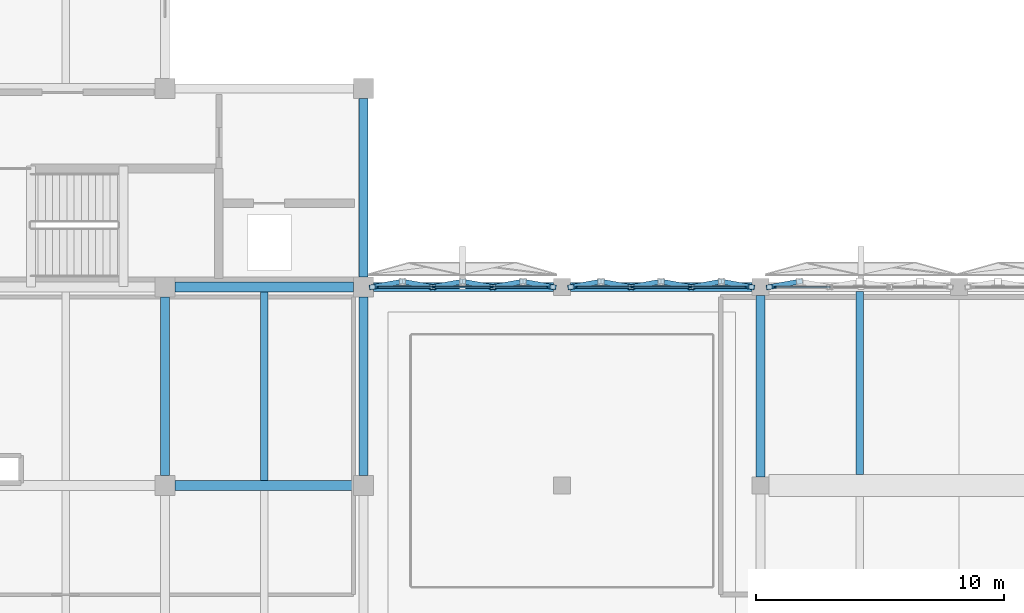
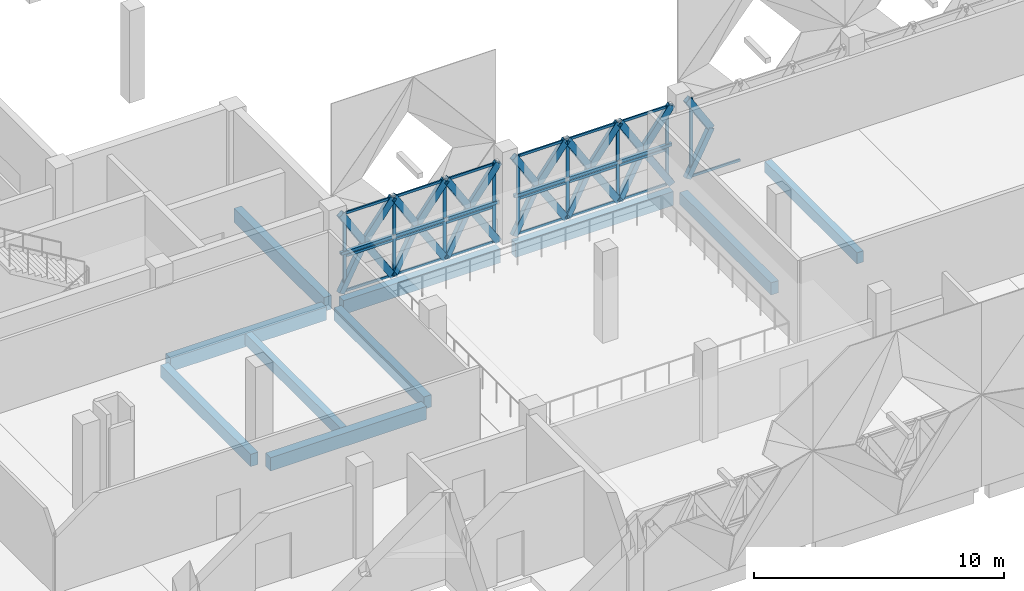
# One storey, part 9 of 37: 60 members, 10 beams, 3 elements without a shape of their own.
"""IFC4 building model written with IfcOpenShell, lengths in metres."""

from ifc_helpers import new_model, si_unit, direction, frame, origin, origin_2d, place, context, subcontext, project, spatial, rectangle, hollow_rectangle, extrude, material, layer, layer_set, material_profile, profile_set, type_object, element, aggregate, save


model = new_model("IFC4")

# Units and contexts
model_context = context("Model", 3, precision=1e-05, world=origin(), true_north=direction((0.0, 1.0)))
body_context = subcontext(model_context, "Body", "Model", "MODEL_VIEW")
ifc_project = project(units=[si_unit("LENGTHUNIT", "METRE"), si_unit("AREAUNIT", "SQUARE_METRE"), si_unit("VOLUMEUNIT", "CUBIC_METRE"), si_unit("PLANEANGLEUNIT", "RADIAN"), si_unit("MASSUNIT", "GRAM", prefix="KILO")], contexts=[model_context])

# Site, building, storey
site_placement = place(None, origin())
site = spatial("IfcSite", under=ifc_project, at=site_placement, CompositionType="ELEMENT")
building_placement = place(site_placement, origin())
building = spatial("IfcBuilding", under=site, at=building_placement, Name="Qorikala Patio Media Centre", CompositionType="ELEMENT")
storey_placement = place(building_placement, frame((0.0, 0.0, 14.39990234375)))
storey = spatial("IfcBuildingStorey", under=building, at=storey_placement, Name="L03", CompositionType="ELEMENT", Elevation=14.39990234375)

# Beams
ifc_material_1 = material(Name="Concrete C35/45", Category="concrete")
ifc_material_profile_1 = material_profile(ifc_material_1, rectangle(XDim=0.35009765625, YDim=0.60009765625, at=origin_2d()), Name="RC 350x600")
ifc_profile_set_1 = profile_set([ifc_material_profile_1], Name="Concrete C35/45")
beam_type_1 = type_object("IfcBeamType", Name="BM-G350X600", PredefinedType="BEAM", material=ifc_profile_set_1)
for number, where, z_axis, x_axis, name in (
    (1, (35.0, 19.39990234375, -0.599853515625), (0.0, 1.0, 0.0), (-1.0, 0.0, 0.0), "L03 Grid X=35 Beam 1228"),
    (2, (43.0, 19.39990234375, -0.599853515625), (0.0, 1.0, 0.0), (-1.0, 0.0, 0.0), "L03 Grid X=43 Beam 1236"),
):
    element("IfcBeam", number, at=place(storey_placement, frame(where, z_axis=z_axis, x_axis=x_axis)), inside=storey, type_object=beam_type_1, Name=name, PredefinedType="BEAM", context=body_context, shape_type="SweptSolid", body=[
        extrude(rectangle(XDim=0.35009765625, YDim=0.60009765625, at=origin_2d()), origin(), (0.0, 0.0, 1.0), 7.2001953125),
    ])
beam_1_placement = place(storey_placement, frame((59.0, 19.35009765625, -0.599853515625), z_axis=(0.0, 1.0, 0.0), x_axis=(-1.0, 0.0, 0.0)))
element("IfcBeam", 3, at=beam_1_placement, inside=storey, type_object=beam_type_1, Name="L03 Grid X=59 Beam 1244", PredefinedType="BEAM", context=body_context, shape_type="SweptSolid", body=[
    extrude(rectangle(XDim=0.35009765625, YDim=0.60009765625, at=origin_2d()), origin(), (0.0, 0.0, 1.0), 7.2998046875),
])
ifc_material_profile_2 = material_profile(ifc_material_1, rectangle(XDim=0.39990234375, YDim=0.64990234375, at=origin_2d()), Name="RC 400x650")
ifc_profile_set_2 = profile_set([ifc_material_profile_2], Name="Concrete C35/45")
beam_type_2 = type_object("IfcBeamType", Name="BM-G400X650", PredefinedType="BEAM", material=ifc_profile_set_2)
for number, where, z_axis, x_axis, name in (
    (4, (35.39990234375, 19.0, -0.625), (1.0, 0.0, 0.0), (0.0, 1.0, 0.0), "L03 Grid 19 Beam 1129"),
    (5, (35.39990234375, 27.0, -0.625), (1.0, 0.0, 0.0), (0.0, 1.0, 0.0), "L03 Grid 27 Beam 1138"),
):
    element("IfcBeam", number, at=place(storey_placement, frame(where, z_axis=z_axis, x_axis=x_axis)), inside=storey, type_object=beam_type_2, Name=name, PredefinedType="BEAM", context=body_context, shape_type="SweptSolid", body=[
        extrude(rectangle(XDim=0.39990234375, YDim=0.64990234375, at=origin_2d()), origin(), (0.0, 0.0, 1.0), 7.2001953125),
    ])

# Members
ifc_material_2 = material(Name="Golden Bronze Coated Steel S355", Category="steel")
ifc_material_profile_3 = material_profile(ifc_material_2, hollow_rectangle(XDim=0.139892578125, YDim=0.139892578125, WallThickness=0.006103515625, at=origin_2d()), Name="HSS140X140X6")
ifc_profile_set_3 = profile_set([ifc_material_profile_3], Name="Golden Bronze Coated Steel S355")
member_type_1 = type_object("IfcMemberType", Name="BRACE-DIA140", PredefinedType="BRACE", material=ifc_profile_set_3)
member_1_placement = place(storey_placement, frame((43.360107421875, 27.0, 1.925048828125), z_axis=(1.0, 0.0, 0.0), x_axis=(0.0, 1.0, 0.0)))
element("IfcMember", 6, at=member_1_placement, inside=storey, type_object=member_type_1, Name="L03 Diamond Fold Tie 088", PredefinedType="BRACE", context=body_context, shape_type="SweptSolid", body=[
    extrude(hollow_rectangle(XDim=0.139892578125, YDim=0.139892578125, WallThickness=0.006103515625, at=origin_2d()), origin(), (0.0, 0.0, 1.0), 2.426513671875),
])
member_2_placement = place(storey_placement, frame((45.78662109375, 27.0, 1.925048828125), z_axis=(1.0, 0.0, 0.0), x_axis=(0.0, 1.0, 0.0)))
element("IfcMember", 7, at=member_2_placement, inside=storey, type_object=member_type_1, Name="L03 Diamond Fold Tie 089", PredefinedType="BRACE", context=body_context, shape_type="SweptSolid", body=[
    extrude(hollow_rectangle(XDim=0.139892578125, YDim=0.139892578125, WallThickness=0.006103515625, at=origin_2d()), origin(), (0.0, 0.0, 1.0), 2.4267578125),
])
for number, where, z_axis, x_axis, name in (
    (8, (48.21337890625, 27.0, 1.925048828125), (1.0, 0.0, 0.0), (0.0, 1.0, 0.0), "L03 Diamond Fold Tie 090"),
    (9, (51.360107421875, 27.0, 1.925048828125), (1.0, 0.0, 0.0), (0.0, 1.0, 0.0), "L03 Diamond Fold Tie 091"),
):
    element("IfcMember", number, at=place(storey_placement, frame(where, z_axis=z_axis, x_axis=x_axis)), inside=storey, type_object=member_type_1, Name=name, PredefinedType="BRACE", context=body_context, shape_type="SweptSolid", body=[
        extrude(hollow_rectangle(XDim=0.139892578125, YDim=0.139892578125, WallThickness=0.006103515625, at=origin_2d()), origin(), (0.0, 0.0, 1.0), 2.426513671875),
    ])
member_3_placement = place(storey_placement, frame((53.78662109375, 27.0, 1.925048828125), z_axis=(1.0, 0.0, 0.0), x_axis=(0.0, 1.0, 0.0)))
element("IfcMember", 10, at=member_3_placement, inside=storey, type_object=member_type_1, Name="L03 Diamond Fold Tie 092", PredefinedType="BRACE", context=body_context, shape_type="SweptSolid", body=[
    extrude(hollow_rectangle(XDim=0.139892578125, YDim=0.139892578125, WallThickness=0.006103515625, at=origin_2d()), origin(), (0.0, 0.0, 1.0), 2.4267578125),
])
member_4_placement = place(storey_placement, frame((56.21337890625, 27.0, 1.925048828125), z_axis=(1.0, 0.0, 0.0), x_axis=(0.0, 1.0, 0.0)))
element("IfcMember", 11, at=member_4_placement, inside=storey, type_object=member_type_1, Name="L03 Diamond Fold Tie 093", PredefinedType="BRACE", context=body_context, shape_type="SweptSolid", body=[
    extrude(hollow_rectangle(XDim=0.139892578125, YDim=0.139892578125, WallThickness=0.006103515625, at=origin_2d()), origin(), (0.0, 0.0, 1.0), 2.426513671875),
])

# Curtain wall, members
ifc_material_3 = material(Name="Golden Bronze Anodised Aluminium and Low-E Glass", Category="aluminium")
ifc_layer = layer(ifc_material_3, 0.159912109375)
ifc_layer_set = layer_set([ifc_layer], Name="Golden Bronze Anodised Aluminium and Low-E Glass")
curtain_wall_type = type_object("IfcCurtainWallType", Name="CW-DIA-696X385", PredefinedType="USERDEFINED", material=ifc_layer_set)
curtain_wall_1_placement = place(storey_placement, origin())
curtain_wall_1 = element("IfcCurtainWall", 12, at=curtain_wall_1_placement, inside=storey, type_object=curtain_wall_type, Name="L03 Courtyard Curtain Wall 071", ObjectType="COURTYARD CURTAIN WALL", PredefinedType="USERDEFINED")
ifc_material_4 = material(Name="Golden Bronze Anodised Aluminium", Category="aluminium")
ifc_material_profile_4 = material_profile(ifc_material_4, rectangle(XDim=0.06494140625, YDim=0.14990234375, at=origin_2d()), Name="ALU MULLION 65x150")
ifc_profile_set_4 = profile_set([ifc_material_profile_4], Name="Golden Bronze Anodised Aluminium")
member_type_2 = type_object("IfcMemberType", Name="CWM-65X150", PredefinedType="MULLION", material=ifc_profile_set_4)
member_5_placement = place(storey_placement, frame((43.552490234375, 27.0, 0.0), z_axis=(0.0, 0.0, 1.0), x_axis=(0.0, 1.0, 0.0)))
member_5 = element("IfcMember", 13, at=member_5_placement, type_object=member_type_2, Name="CWD696385 mullion 1", PredefinedType="MULLION", context=body_context, shape_type="SweptSolid", body=[
    extrude(rectangle(XDim=0.06494140625, YDim=0.14990234375, at=origin_2d()), origin(), (0.0, 0.0, 1.0), 3.85009765625),
])
member_6_placement = place(storey_placement, frame((45.840087890625, 27.0, 0.0), z_axis=(0.0, 0.0, 1.0), x_axis=(0.0, 1.0, 0.0)))
member_6 = element("IfcMember", 14, at=member_6_placement, type_object=member_type_2, Name="CWD696385 mullion 2", PredefinedType="MULLION", context=body_context, shape_type="SweptSolid", body=[
    extrude(rectangle(XDim=0.06494140625, YDim=0.14990234375, at=origin_2d()), origin(), (0.0, 0.0, 1.0), 3.85009765625),
])
member_7_placement = place(storey_placement, frame((48.159912109375, 27.0, 0.0), z_axis=(0.0, 0.0, 1.0), x_axis=(0.0, 1.0, 0.0)))
member_7 = element("IfcMember", 15, at=member_7_placement, type_object=member_type_2, Name="CWD696385 mullion 3", PredefinedType="MULLION", context=body_context, shape_type="SweptSolid", body=[
    extrude(rectangle(XDim=0.06494140625, YDim=0.14990234375, at=origin_2d()), origin(), (0.0, 0.0, 1.0), 3.85009765625),
])
member_8_placement = place(storey_placement, frame((50.447509765625, 27.0, 0.0), z_axis=(0.0, 0.0, 1.0), x_axis=(0.0, 1.0, 0.0)))
member_8 = element("IfcMember", 16, at=member_8_placement, type_object=member_type_2, Name="CWD696385 mullion 4", PredefinedType="MULLION", context=body_context, shape_type="SweptSolid", body=[
    extrude(rectangle(XDim=0.06494140625, YDim=0.14990234375, at=origin_2d()), origin(), (0.0, 0.0, 1.0), 3.85009765625),
])

curtain_wall_2_placement = place(storey_placement, origin())
curtain_wall_2 = element("IfcCurtainWall", 17, at=curtain_wall_2_placement, inside=storey, type_object=curtain_wall_type, Name="L03 Courtyard Curtain Wall 072", ObjectType="COURTYARD CURTAIN WALL", PredefinedType="USERDEFINED")
member_9_placement = place(storey_placement, frame((51.552490234375, 27.0, 0.0), z_axis=(0.0, 0.0, 1.0), x_axis=(0.0, 1.0, 0.0)))
member_9 = element("IfcMember", 18, at=member_9_placement, type_object=member_type_2, Name="CWD696385 mullion 1", PredefinedType="MULLION", context=body_context, shape_type="SweptSolid", body=[
    extrude(rectangle(XDim=0.06494140625, YDim=0.14990234375, at=origin_2d()), origin(), (0.0, 0.0, 1.0), 3.85009765625),
])
member_10_placement = place(storey_placement, frame((53.840087890625, 27.0, 0.0), z_axis=(0.0, 0.0, 1.0), x_axis=(0.0, 1.0, 0.0)))
member_10 = element("IfcMember", 19, at=member_10_placement, type_object=member_type_2, Name="CWD696385 mullion 2", PredefinedType="MULLION", context=body_context, shape_type="SweptSolid", body=[
    extrude(rectangle(XDim=0.06494140625, YDim=0.14990234375, at=origin_2d()), origin(), (0.0, 0.0, 1.0), 3.85009765625),
])
member_11_placement = place(storey_placement, frame((56.159912109375, 27.0, 0.0), z_axis=(0.0, 0.0, 1.0), x_axis=(0.0, 1.0, 0.0)))
member_11 = element("IfcMember", 20, at=member_11_placement, type_object=member_type_2, Name="CWD696385 mullion 3", PredefinedType="MULLION", context=body_context, shape_type="SweptSolid", body=[
    extrude(rectangle(XDim=0.06494140625, YDim=0.14990234375, at=origin_2d()), origin(), (0.0, 0.0, 1.0), 3.85009765625),
])
member_12_placement = place(storey_placement, frame((58.447509765625, 27.0, 0.0), z_axis=(0.0, 0.0, 1.0), x_axis=(0.0, 1.0, 0.0)))
member_12 = element("IfcMember", 21, at=member_12_placement, type_object=member_type_2, Name="CWD696385 mullion 4", PredefinedType="MULLION", context=body_context, shape_type="SweptSolid", body=[
    extrude(rectangle(XDim=0.06494140625, YDim=0.14990234375, at=origin_2d()), origin(), (0.0, 0.0, 1.0), 3.85009765625),
])

# Curtain wall, member
curtain_wall_3_placement = place(storey_placement, origin())
curtain_wall_3 = element("IfcCurtainWall", 22, at=curtain_wall_3_placement, inside=storey, type_object=curtain_wall_type, Name="L03 Courtyard Curtain Wall 073", ObjectType="COURTYARD CURTAIN WALL", PredefinedType="USERDEFINED")
member_13_placement = place(storey_placement, frame((59.552490234375, 27.0, 0.0), z_axis=(0.0, 0.0, 1.0), x_axis=(0.0, 1.0, 0.0)))
member_13 = element("IfcMember", 23, at=member_13_placement, type_object=member_type_2, Name="CWD696385 mullion 1", PredefinedType="MULLION", context=body_context, shape_type="SweptSolid", body=[
    extrude(rectangle(XDim=0.06494140625, YDim=0.14990234375, at=origin_2d()), origin(), (0.0, 0.0, 1.0), 3.85009765625),
])

# Member
ifc_material_profile_5 = material_profile(ifc_material_4, rectangle(XDim=0.06494140625, YDim=0.1201171875, at=origin_2d()), Name="ALU TRANSOM 65x120")
ifc_profile_set_5 = profile_set([ifc_material_profile_5], Name="Golden Bronze Anodised Aluminium")
member_type_3 = type_object("IfcMemberType", Name="CWT-65X120", PredefinedType="USERDEFINED", material=ifc_profile_set_5)
member_14_placement = place(storey_placement, frame((43.5849609375, 27.0, 0.03271484375), z_axis=(1.0, 0.0, 0.0), x_axis=(0.0, 1.0, 0.0)))
member_14 = element("IfcMember", 24, at=member_14_placement, type_object=member_type_3, Name="CWD696385 transom 1.1", ObjectType="TRANSOM", PredefinedType="USERDEFINED", context=body_context, shape_type="SweptSolid", body=[
    extrude(rectangle(XDim=0.06494140625, YDim=0.1201171875, at=origin_2d()), origin(), (0.0, 0.0, 1.0), 2.22265625),
])

member_15_placement = place(storey_placement, frame((43.5849609375, 27.0, 1.732666015625), z_axis=(1.0, 0.0, 0.0), x_axis=(0.0, 1.0, 0.0)))
member_15 = element("IfcMember", 25, at=member_15_placement, type_object=member_type_3, Name="CWD696385 transom 1.2", ObjectType="TRANSOM", PredefinedType="USERDEFINED", context=body_context, shape_type="SweptSolid", body=[
    extrude(rectangle(XDim=0.06494140625, YDim=0.1201171875, at=origin_2d()), origin(), (0.0, 0.0, 1.0), 2.22265625),
])

member_16_placement = place(storey_placement, frame((43.5849609375, 27.0, 3.817626953125), z_axis=(1.0, 0.0, 0.0), x_axis=(0.0, 1.0, 0.0)))
member_16 = element("IfcMember", 26, at=member_16_placement, type_object=member_type_3, Name="CWD696385 transom 1.3", ObjectType="TRANSOM", PredefinedType="USERDEFINED", context=body_context, shape_type="SweptSolid", body=[
    extrude(rectangle(XDim=0.06494140625, YDim=0.1201171875, at=origin_2d()), origin(), (0.0, 0.0, 1.0), 2.22265625),
])

member_17_placement = place(storey_placement, frame((45.87255859375, 27.0, 0.03271484375), z_axis=(1.0, 0.0, 0.0), x_axis=(0.0, 1.0, 0.0)))
member_17 = element("IfcMember", 27, at=member_17_placement, type_object=member_type_3, Name="CWD696385 transom 2.1", ObjectType="TRANSOM", PredefinedType="USERDEFINED", context=body_context, shape_type="SweptSolid", body=[
    extrude(rectangle(XDim=0.06494140625, YDim=0.1201171875, at=origin_2d()), origin(), (0.0, 0.0, 1.0), 2.2548828125),
])

member_18_placement = place(storey_placement, frame((45.87255859375, 27.0, 1.732666015625), z_axis=(1.0, 0.0, 0.0), x_axis=(0.0, 1.0, 0.0)))
member_18 = element("IfcMember", 28, at=member_18_placement, type_object=member_type_3, Name="CWD696385 transom 2.2", ObjectType="TRANSOM", PredefinedType="USERDEFINED", context=body_context, shape_type="SweptSolid", body=[
    extrude(rectangle(XDim=0.06494140625, YDim=0.1201171875, at=origin_2d()), origin(), (0.0, 0.0, 1.0), 2.2548828125),
])

member_19_placement = place(storey_placement, frame((45.87255859375, 27.0, 3.817626953125), z_axis=(1.0, 0.0, 0.0), x_axis=(0.0, 1.0, 0.0)))
member_19 = element("IfcMember", 29, at=member_19_placement, type_object=member_type_3, Name="CWD696385 transom 2.3", ObjectType="TRANSOM", PredefinedType="USERDEFINED", context=body_context, shape_type="SweptSolid", body=[
    extrude(rectangle(XDim=0.06494140625, YDim=0.1201171875, at=origin_2d()), origin(), (0.0, 0.0, 1.0), 2.2548828125),
])

member_20_placement = place(storey_placement, frame((48.1923828125, 27.0, 0.03271484375), z_axis=(1.0, 0.0, 0.0), x_axis=(0.0, 1.0, 0.0)))
member_20 = element("IfcMember", 30, at=member_20_placement, type_object=member_type_3, Name="CWD696385 transom 3.1", ObjectType="TRANSOM", PredefinedType="USERDEFINED", context=body_context, shape_type="SweptSolid", body=[
    extrude(rectangle(XDim=0.06494140625, YDim=0.1201171875, at=origin_2d()), origin(), (0.0, 0.0, 1.0), 2.22265625),
])

member_21_placement = place(storey_placement, frame((48.1923828125, 27.0, 1.732666015625), z_axis=(1.0, 0.0, 0.0), x_axis=(0.0, 1.0, 0.0)))
member_21 = element("IfcMember", 31, at=member_21_placement, type_object=member_type_3, Name="CWD696385 transom 3.2", ObjectType="TRANSOM", PredefinedType="USERDEFINED", context=body_context, shape_type="SweptSolid", body=[
    extrude(rectangle(XDim=0.06494140625, YDim=0.1201171875, at=origin_2d()), origin(), (0.0, 0.0, 1.0), 2.22265625),
])

member_22_placement = place(storey_placement, frame((48.1923828125, 27.0, 3.817626953125), z_axis=(1.0, 0.0, 0.0), x_axis=(0.0, 1.0, 0.0)))
member_22 = element("IfcMember", 32, at=member_22_placement, type_object=member_type_3, Name="CWD696385 transom 3.3", ObjectType="TRANSOM", PredefinedType="USERDEFINED", context=body_context, shape_type="SweptSolid", body=[
    extrude(rectangle(XDim=0.06494140625, YDim=0.1201171875, at=origin_2d()), origin(), (0.0, 0.0, 1.0), 2.22265625),
])

aggregate(curtain_wall_1, [member_5, member_6, member_7, member_8, member_14, member_15, member_16, member_17, member_18, member_19, member_20, member_21, member_22])

member_23_placement = place(storey_placement, frame((51.5849609375, 27.0, 0.03271484375), z_axis=(1.0, 0.0, 0.0), x_axis=(0.0, 1.0, 0.0)))
member_23 = element("IfcMember", 33, at=member_23_placement, type_object=member_type_3, Name="CWD696385 transom 1.1", ObjectType="TRANSOM", PredefinedType="USERDEFINED", context=body_context, shape_type="SweptSolid", body=[
    extrude(rectangle(XDim=0.06494140625, YDim=0.1201171875, at=origin_2d()), origin(), (0.0, 0.0, 1.0), 2.22265625),
])

member_24_placement = place(storey_placement, frame((51.5849609375, 27.0, 1.732666015625), z_axis=(1.0, 0.0, 0.0), x_axis=(0.0, 1.0, 0.0)))
member_24 = element("IfcMember", 34, at=member_24_placement, type_object=member_type_3, Name="CWD696385 transom 1.2", ObjectType="TRANSOM", PredefinedType="USERDEFINED", context=body_context, shape_type="SweptSolid", body=[
    extrude(rectangle(XDim=0.06494140625, YDim=0.1201171875, at=origin_2d()), origin(), (0.0, 0.0, 1.0), 2.22265625),
])

member_25_placement = place(storey_placement, frame((51.5849609375, 27.0, 3.817626953125), z_axis=(1.0, 0.0, 0.0), x_axis=(0.0, 1.0, 0.0)))
member_25 = element("IfcMember", 35, at=member_25_placement, type_object=member_type_3, Name="CWD696385 transom 1.3", ObjectType="TRANSOM", PredefinedType="USERDEFINED", context=body_context, shape_type="SweptSolid", body=[
    extrude(rectangle(XDim=0.06494140625, YDim=0.1201171875, at=origin_2d()), origin(), (0.0, 0.0, 1.0), 2.22265625),
])

member_26_placement = place(storey_placement, frame((53.87255859375, 27.0, 0.03271484375), z_axis=(1.0, 0.0, 0.0), x_axis=(0.0, 1.0, 0.0)))
member_26 = element("IfcMember", 36, at=member_26_placement, type_object=member_type_3, Name="CWD696385 transom 2.1", ObjectType="TRANSOM", PredefinedType="USERDEFINED", context=body_context, shape_type="SweptSolid", body=[
    extrude(rectangle(XDim=0.06494140625, YDim=0.1201171875, at=origin_2d()), origin(), (0.0, 0.0, 1.0), 2.2548828125),
])

member_27_placement = place(storey_placement, frame((53.87255859375, 27.0, 1.732666015625), z_axis=(1.0, 0.0, 0.0), x_axis=(0.0, 1.0, 0.0)))
member_27 = element("IfcMember", 37, at=member_27_placement, type_object=member_type_3, Name="CWD696385 transom 2.2", ObjectType="TRANSOM", PredefinedType="USERDEFINED", context=body_context, shape_type="SweptSolid", body=[
    extrude(rectangle(XDim=0.06494140625, YDim=0.1201171875, at=origin_2d()), origin(), (0.0, 0.0, 1.0), 2.2548828125),
])

member_28_placement = place(storey_placement, frame((53.87255859375, 27.0, 3.817626953125), z_axis=(1.0, 0.0, 0.0), x_axis=(0.0, 1.0, 0.0)))
member_28 = element("IfcMember", 38, at=member_28_placement, type_object=member_type_3, Name="CWD696385 transom 2.3", ObjectType="TRANSOM", PredefinedType="USERDEFINED", context=body_context, shape_type="SweptSolid", body=[
    extrude(rectangle(XDim=0.06494140625, YDim=0.1201171875, at=origin_2d()), origin(), (0.0, 0.0, 1.0), 2.2548828125),
])

member_29_placement = place(storey_placement, frame((56.1923828125, 27.0, 0.03271484375), z_axis=(1.0, 0.0, 0.0), x_axis=(0.0, 1.0, 0.0)))
member_29 = element("IfcMember", 39, at=member_29_placement, type_object=member_type_3, Name="CWD696385 transom 3.1", ObjectType="TRANSOM", PredefinedType="USERDEFINED", context=body_context, shape_type="SweptSolid", body=[
    extrude(rectangle(XDim=0.06494140625, YDim=0.1201171875, at=origin_2d()), origin(), (0.0, 0.0, 1.0), 2.22265625),
])

member_30_placement = place(storey_placement, frame((56.1923828125, 27.0, 1.732666015625), z_axis=(1.0, 0.0, 0.0), x_axis=(0.0, 1.0, 0.0)))
member_30 = element("IfcMember", 40, at=member_30_placement, type_object=member_type_3, Name="CWD696385 transom 3.2", ObjectType="TRANSOM", PredefinedType="USERDEFINED", context=body_context, shape_type="SweptSolid", body=[
    extrude(rectangle(XDim=0.06494140625, YDim=0.1201171875, at=origin_2d()), origin(), (0.0, 0.0, 1.0), 2.22265625),
])

member_31_placement = place(storey_placement, frame((56.1923828125, 27.0, 3.817626953125), z_axis=(1.0, 0.0, 0.0), x_axis=(0.0, 1.0, 0.0)))
member_31 = element("IfcMember", 41, at=member_31_placement, type_object=member_type_3, Name="CWD696385 transom 3.3", ObjectType="TRANSOM", PredefinedType="USERDEFINED", context=body_context, shape_type="SweptSolid", body=[
    extrude(rectangle(XDim=0.06494140625, YDim=0.1201171875, at=origin_2d()), origin(), (0.0, 0.0, 1.0), 2.22265625),
])

aggregate(curtain_wall_2, [member_9, member_10, member_11, member_12, member_23, member_24, member_25, member_26, member_27, member_28, member_29, member_30, member_31])

member_32_placement = place(storey_placement, frame((59.5849609375, 27.0, 0.03271484375), z_axis=(1.0, 0.0, 0.0), x_axis=(0.0, 1.0, 0.0)))
member_32 = element("IfcMember", 42, at=member_32_placement, type_object=member_type_3, Name="CWD696385 transom 1.1", ObjectType="TRANSOM", PredefinedType="USERDEFINED", context=body_context, shape_type="SweptSolid", body=[
    extrude(rectangle(XDim=0.06494140625, YDim=0.1201171875, at=origin_2d()), origin(), (0.0, 0.0, 1.0), 2.22265625),
])

aggregate(curtain_wall_3, [member_13, member_32])

# Beams
ifc_material_profile_6 = material_profile(ifc_material_1, rectangle(XDim=0.300048828125, YDim=0.550048828125, at=origin_2d()), Name="RC 300x550")
ifc_profile_set_6 = profile_set([ifc_material_profile_6], Name="Concrete C35/45")
beam_type_3 = type_object("IfcBeamType", Name="JS-300X550", PredefinedType="JOIST", material=ifc_profile_set_6)
beam_2_placement = place(storey_placement, frame((39.0, 19.199951171875, -0.574951171875), z_axis=(0.0, 1.0, 0.0), x_axis=(-1.0, 0.0, 0.0)))
element("IfcBeam", 43, at=beam_2_placement, inside=storey, type_object=beam_type_3, Name="L03 Secondary Joist 1295", PredefinedType="JOIST", context=body_context, shape_type="SweptSolid", body=[
    extrude(rectangle(XDim=0.300048828125, YDim=0.550048828125, at=origin_2d()), origin(), (0.0, 0.0, 1.0), 7.60009765625),
])
beam_3_placement = place(storey_placement, frame((63.0, 19.449951171875, -0.574951171875), z_axis=(0.0, 1.0, 0.0), x_axis=(-1.0, 0.0, 0.0)))
element("IfcBeam", 44, at=beam_3_placement, inside=storey, type_object=beam_type_3, Name="L03 Secondary Joist 1302", PredefinedType="JOIST", context=body_context, shape_type="SweptSolid", body=[
    extrude(rectangle(XDim=0.300048828125, YDim=0.550048828125, at=origin_2d()), origin(), (0.0, 0.0, 1.0), 7.375),
])
ifc_material_profile_7 = material_profile(ifc_material_1, rectangle(XDim=0.35009765625, YDim=0.679931640625, at=origin_2d()), Name="RC 350x680")
ifc_profile_set_7 = profile_set([ifc_material_profile_7], Name="Concrete C35/45")
beam_type_4 = type_object("IfcBeamType", Name="SP-350X680", PredefinedType="SPANDREL", material=ifc_profile_set_7)
beam_4_placement = place(storey_placement, frame((43.39990234375, 27.0, -0.639892578125), z_axis=(1.0, 0.0, 0.0), x_axis=(0.0, 1.0, 0.0)))
element("IfcBeam", 45, at=beam_4_placement, inside=storey, type_object=beam_type_4, Name="L03 Grid 27 Beam 1139", PredefinedType="SPANDREL", context=body_context, shape_type="SweptSolid", body=[
    extrude(rectangle(XDim=0.35009765625, YDim=0.679931640625, at=origin_2d()), origin(), (0.0, 0.0, 1.0), 7.25),
])
beam_5_placement = place(storey_placement, frame((51.35009765625, 27.0, -0.639892578125), z_axis=(1.0, 0.0, 0.0), x_axis=(0.0, 1.0, 0.0)))
element("IfcBeam", 46, at=beam_5_placement, inside=storey, type_object=beam_type_4, Name="L03 Grid 27 Beam 1140", PredefinedType="SPANDREL", context=body_context, shape_type="SweptSolid", body=[
    extrude(rectangle(XDim=0.35009765625, YDim=0.679931640625, at=origin_2d()), origin(), (0.0, 0.0, 1.0), 7.2998046875),
])
beam_6_placement = place(storey_placement, frame((43.0, 27.39990234375, -0.639892578125), z_axis=(0.0, 1.0, 0.0), x_axis=(-1.0, 0.0, 0.0)))
element("IfcBeam", 47, at=beam_6_placement, inside=storey, type_object=beam_type_4, Name="L03 Grid X=43 Beam 1237", PredefinedType="SPANDREL", context=body_context, shape_type="SweptSolid", body=[
    extrude(rectangle(XDim=0.35009765625, YDim=0.679931640625, at=origin_2d()), origin(), (0.0, 0.0, 1.0), 7.2001953125),
])

# Members
ifc_material_profile_8 = material_profile(ifc_material_2, hollow_rectangle(XDim=0.199951171875, YDim=0.300048828125, WallThickness=0.011962890625, at=origin_2d()), Name="HSS300X200X12")
ifc_profile_set_8 = profile_set([ifc_material_profile_8], Name="Golden Bronze Coated Steel S355")
member_type_4 = type_object("IfcMemberType", Name="STRUT-DIA300", PredefinedType="STRUT", material=ifc_profile_set_8)
member_33_placement = place(storey_placement, frame((43.360107421875, 27.0, 0.0), z_axis=(0.530691378365, 0.095906793675, 0.842121456713), x_axis=(-0.17783968734, 0.984059472596, 0.0)))
element("IfcMember", 48, at=member_33_placement, inside=storey, type_object=member_type_4, Name="L03 Diamond Foyer Fold Strut 088-DL1", PredefinedType="STRUT", context=body_context, shape_type="SweptSolid", body=[
    extrude(hollow_rectangle(XDim=0.199951171875, YDim=0.300048828125, WallThickness=0.011962890625, at=origin_2d()), origin(), (0.0, 0.0, 1.0), 2.285888671875),
])
member_34_placement = place(storey_placement, frame((45.78662109375, 27.0, 0.0), z_axis=(-0.530768093717, 0.095901357778, 0.842073726148), x_axis=(-0.177805036072, -0.98406573416, 0.0)))
element("IfcMember", 49, at=member_34_placement, inside=storey, type_object=member_type_4, Name="L03 Diamond Foyer Fold Strut 088-DL2", PredefinedType="STRUT", context=body_context, shape_type="SweptSolid", body=[
    extrude(hollow_rectangle(XDim=0.199951171875, YDim=0.300048828125, WallThickness=0.011962890625, at=origin_2d()), origin(), (0.0, 0.0, 1.0), 2.2861328125),
])
member_35_placement = place(storey_placement, frame((44.5732421875, 27.21923828125, 1.925048828125), z_axis=(-0.530691378365, -0.095906793675, 0.842121456713), x_axis=(0.17783968734, -0.984059472596, 0.0)))
element("IfcMember", 50, at=member_35_placement, inside=storey, type_object=member_type_4, Name="L03 Diamond Foyer Fold Strut 088-DU1", PredefinedType="STRUT", context=body_context, shape_type="SweptSolid", body=[
    extrude(hollow_rectangle(XDim=0.199951171875, YDim=0.300048828125, WallThickness=0.011962890625, at=origin_2d()), origin(), (0.0, 0.0, 1.0), 2.285888671875),
])
for number, where, z_axis, x_axis, name in (
    (51, (44.5732421875, 27.21923828125, 1.925048828125), (0.530768093717, -0.095901357778, 0.842073726148), (0.177805036072, 0.98406573416, 0.0), "L03 Diamond Foyer Fold Strut 088-DU2"),
    (52, (45.78662109375, 27.0, 0.0), (0.530768093717, 0.095901357778, 0.842073726148), (-0.177805036072, 0.98406573416, 0.0), "L03 Diamond Foyer Fold Strut 089-DL1"),
    (53, (48.21337890625, 27.0, 0.0), (-0.530768093717, 0.095901357778, 0.842073726148), (-0.177805036072, -0.98406573416, 0.0), "L03 Diamond Foyer Fold Strut 089-DL2"),
    (54, (47.0, 27.21923828125, 1.925048828125), (-0.530768093717, -0.095901357778, 0.842073726148), (0.177805036072, -0.98406573416, 0.0), "L03 Diamond Foyer Fold Strut 089-DU1"),
    (55, (47.0, 27.21923828125, 1.925048828125), (0.530768093717, -0.095901357778, 0.842073726148), (0.177805036072, 0.98406573416, 0.0), "L03 Diamond Foyer Fold Strut 089-DU2"),
    (56, (48.21337890625, 27.0, 0.0), (0.530768093717, 0.095901357778, 0.842073726148), (-0.177805036072, 0.98406573416, 0.0), "L03 Diamond Foyer Fold Strut 090-DL1"),
):
    element("IfcMember", number, at=place(storey_placement, frame(where, z_axis=z_axis, x_axis=x_axis)), inside=storey, type_object=member_type_4, Name=name, PredefinedType="STRUT", context=body_context, shape_type="SweptSolid", body=[
        extrude(hollow_rectangle(XDim=0.199951171875, YDim=0.300048828125, WallThickness=0.011962890625, at=origin_2d()), origin(), (0.0, 0.0, 1.0), 2.2861328125),
    ])
member_36_placement = place(storey_placement, frame((50.639892578125, 27.0, 0.0), z_axis=(-0.530691378365, 0.095906793675, 0.842121456713), x_axis=(-0.17783968734, -0.984059472596, 0.0)))
element("IfcMember", 57, at=member_36_placement, inside=storey, type_object=member_type_4, Name="L03 Diamond Foyer Fold Strut 090-DL2", PredefinedType="STRUT", context=body_context, shape_type="SweptSolid", body=[
    extrude(hollow_rectangle(XDim=0.199951171875, YDim=0.300048828125, WallThickness=0.011962890625, at=origin_2d()), origin(), (0.0, 0.0, 1.0), 2.285888671875),
])
member_37_placement = place(storey_placement, frame((49.4267578125, 27.21923828125, 1.925048828125), z_axis=(-0.530768093717, -0.095901357778, 0.842073726148), x_axis=(0.177805036072, -0.98406573416, 0.0)))
element("IfcMember", 58, at=member_37_placement, inside=storey, type_object=member_type_4, Name="L03 Diamond Foyer Fold Strut 090-DU1", PredefinedType="STRUT", context=body_context, shape_type="SweptSolid", body=[
    extrude(hollow_rectangle(XDim=0.199951171875, YDim=0.300048828125, WallThickness=0.011962890625, at=origin_2d()), origin(), (0.0, 0.0, 1.0), 2.2861328125),
])
for number, where, z_axis, x_axis, name in (
    (59, (49.4267578125, 27.21923828125, 1.925048828125), (0.530691378365, -0.095906793675, 0.842121456713), (0.17783968734, 0.984059472596, 0.0), "L03 Diamond Foyer Fold Strut 090-DU2"),
    (60, (51.360107421875, 27.0, 0.0), (0.530691378365, 0.095906793675, 0.842121456713), (-0.17783968734, 0.984059472596, 0.0), "L03 Diamond Foyer Fold Strut 091-DL1"),
):
    element("IfcMember", number, at=place(storey_placement, frame(where, z_axis=z_axis, x_axis=x_axis)), inside=storey, type_object=member_type_4, Name=name, PredefinedType="STRUT", context=body_context, shape_type="SweptSolid", body=[
        extrude(hollow_rectangle(XDim=0.199951171875, YDim=0.300048828125, WallThickness=0.011962890625, at=origin_2d()), origin(), (0.0, 0.0, 1.0), 2.285888671875),
    ])
member_38_placement = place(storey_placement, frame((53.78662109375, 27.0, 0.0), z_axis=(-0.530768093717, 0.095901357778, 0.842073726148), x_axis=(-0.177805036072, -0.98406573416, 0.0)))
element("IfcMember", 61, at=member_38_placement, inside=storey, type_object=member_type_4, Name="L03 Diamond Foyer Fold Strut 091-DL2", PredefinedType="STRUT", context=body_context, shape_type="SweptSolid", body=[
    extrude(hollow_rectangle(XDim=0.199951171875, YDim=0.300048828125, WallThickness=0.011962890625, at=origin_2d()), origin(), (0.0, 0.0, 1.0), 2.2861328125),
])
member_39_placement = place(storey_placement, frame((52.5732421875, 27.21923828125, 1.925048828125), z_axis=(-0.530691378365, -0.095906793675, 0.842121456713), x_axis=(0.17783968734, -0.984059472596, 0.0)))
element("IfcMember", 62, at=member_39_placement, inside=storey, type_object=member_type_4, Name="L03 Diamond Foyer Fold Strut 091-DU1", PredefinedType="STRUT", context=body_context, shape_type="SweptSolid", body=[
    extrude(hollow_rectangle(XDim=0.199951171875, YDim=0.300048828125, WallThickness=0.011962890625, at=origin_2d()), origin(), (0.0, 0.0, 1.0), 2.285888671875),
])
for number, where, z_axis, x_axis, name in (
    (63, (52.5732421875, 27.21923828125, 1.925048828125), (0.530768093717, -0.095901357778, 0.842073726148), (0.177805036072, 0.98406573416, 0.0), "L03 Diamond Foyer Fold Strut 091-DU2"),
    (64, (53.78662109375, 27.0, 0.0), (0.530768093717, 0.095901357778, 0.842073726148), (-0.177805036072, 0.98406573416, 0.0), "L03 Diamond Foyer Fold Strut 092-DL1"),
    (65, (56.21337890625, 27.0, 0.0), (-0.530768093717, 0.095901357778, 0.842073726148), (-0.177805036072, -0.98406573416, 0.0), "L03 Diamond Foyer Fold Strut 092-DL2"),
    (66, (55.0, 27.21923828125, 1.925048828125), (-0.530768093717, -0.095901357778, 0.842073726148), (0.177805036072, -0.98406573416, 0.0), "L03 Diamond Foyer Fold Strut 092-DU1"),
    (67, (55.0, 27.21923828125, 1.925048828125), (0.530768093717, -0.095901357778, 0.842073726148), (0.177805036072, 0.98406573416, 0.0), "L03 Diamond Foyer Fold Strut 092-DU2"),
    (68, (56.21337890625, 27.0, 0.0), (0.530768093717, 0.095901357778, 0.842073726148), (-0.177805036072, 0.98406573416, 0.0), "L03 Diamond Foyer Fold Strut 093-DL1"),
):
    element("IfcMember", number, at=place(storey_placement, frame(where, z_axis=z_axis, x_axis=x_axis)), inside=storey, type_object=member_type_4, Name=name, PredefinedType="STRUT", context=body_context, shape_type="SweptSolid", body=[
        extrude(hollow_rectangle(XDim=0.199951171875, YDim=0.300048828125, WallThickness=0.011962890625, at=origin_2d()), origin(), (0.0, 0.0, 1.0), 2.2861328125),
    ])
member_40_placement = place(storey_placement, frame((58.639892578125, 27.0, 0.0), z_axis=(-0.530691378365, 0.095906793675, 0.842121456713), x_axis=(-0.17783968734, -0.984059472596, 0.0)))
element("IfcMember", 69, at=member_40_placement, inside=storey, type_object=member_type_4, Name="L03 Diamond Foyer Fold Strut 093-DL2", PredefinedType="STRUT", context=body_context, shape_type="SweptSolid", body=[
    extrude(hollow_rectangle(XDim=0.199951171875, YDim=0.300048828125, WallThickness=0.011962890625, at=origin_2d()), origin(), (0.0, 0.0, 1.0), 2.285888671875),
])
member_41_placement = place(storey_placement, frame((57.4267578125, 27.21923828125, 1.925048828125), z_axis=(-0.530768093717, -0.095901357778, 0.842073726148), x_axis=(0.177805036072, -0.98406573416, 0.0)))
element("IfcMember", 70, at=member_41_placement, inside=storey, type_object=member_type_4, Name="L03 Diamond Foyer Fold Strut 093-DU1", PredefinedType="STRUT", context=body_context, shape_type="SweptSolid", body=[
    extrude(hollow_rectangle(XDim=0.199951171875, YDim=0.300048828125, WallThickness=0.011962890625, at=origin_2d()), origin(), (0.0, 0.0, 1.0), 2.2861328125),
])
for number, where, z_axis, x_axis, name in (
    (71, (57.4267578125, 27.21923828125, 1.925048828125), (0.530691378365, -0.095906793675, 0.842121456713), (0.17783968734, 0.984059472596, 0.0), "L03 Diamond Foyer Fold Strut 093-DU2"),
    (72, (59.360107421875, 27.0, 0.0), (0.530691378365, 0.095906793675, 0.842121456713), (-0.17783968734, 0.984059472596, 0.0), "L03 Diamond Foyer Fold Strut 094-DL1"),
    (73, (60.5732421875, 27.21923828125, 1.925048828125), (-0.530691378365, -0.095906793675, 0.842121456713), (0.17783968734, -0.984059472596, 0.0), "L03 Diamond Foyer Fold Strut 094-DU1"),
):
    element("IfcMember", number, at=place(storey_placement, frame(where, z_axis=z_axis, x_axis=x_axis)), inside=storey, type_object=member_type_4, Name=name, PredefinedType="STRUT", context=body_context, shape_type="SweptSolid", body=[
        extrude(hollow_rectangle(XDim=0.199951171875, YDim=0.300048828125, WallThickness=0.011962890625, at=origin_2d()), origin(), (0.0, 0.0, 1.0), 2.285888671875),
    ])

save(model, "model.ifc")
